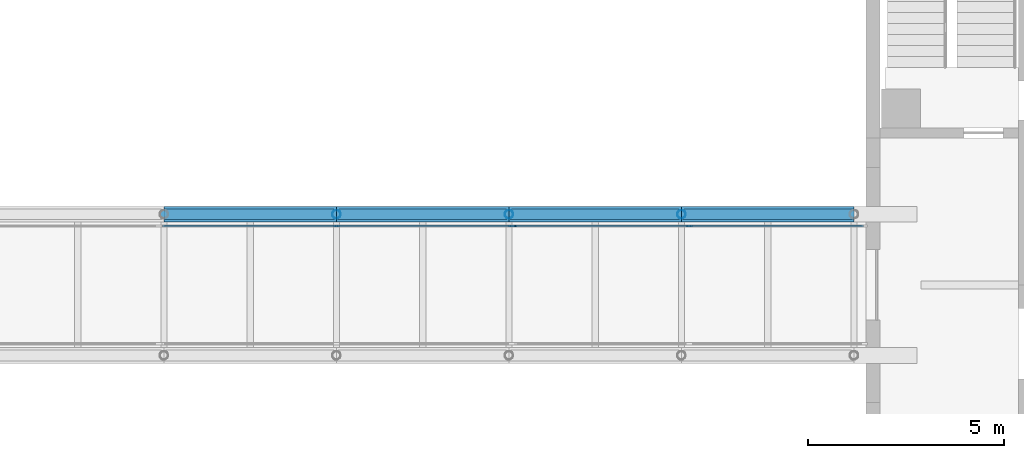
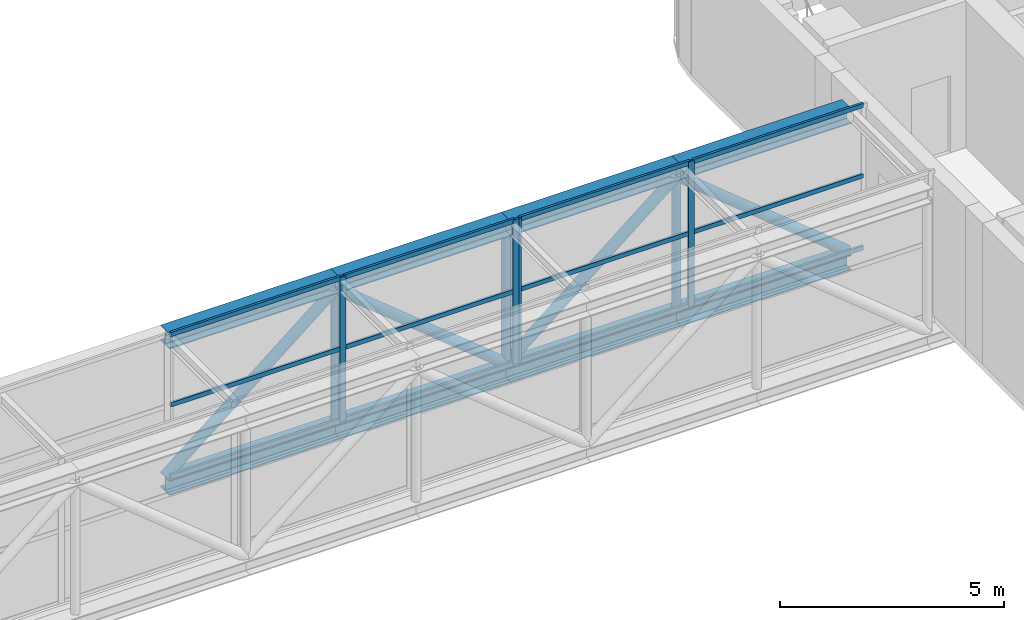
# One storey, part 8 of 24: 31 members, 2 elements without a shape of their own.
"""IFC4 building model written with IfcOpenShell, lengths in metres."""

import ifcopenshell
import ifcopenshell.guid

model = None  # the IFC model being written
_history = None  # IfcOwnerHistory: only IFC2X3 demands one
_inside = {}  # id of a spatial element -> (the spatial element, [elements in it])
_under = {}  # id of a project, library or spatial element -> (it, [spatial elements below it])
_declared = {}  # id of a project -> (the project, [libraries it declares])
_typed = {}  # id of a type object -> (the type object, [elements of that type])
_made_of = {}  # id of a material, layer set ... -> (it, [elements and type objects made of it])


def new_model(schema):
    """Start an empty IFC model of exactly this schema.

    Asked for "IFC4X3", IfcOpenShell would pick the latest addendum, in which some entities
    have other attributes; the version numbers below select the first issue.
    IFC2X3 requires an IfcOwnerHistory on every rooted entity: one is made here for all.
    """
    global model, _history
    if schema == "IFC4X3":
        model = ifcopenshell.file(schema_version=(4, 3, 0, 0))
    else:
        model = ifcopenshell.file(schema=schema)
    _inside.clear()
    _under.clear()
    _declared.clear()
    _typed.clear()
    _made_of.clear()
    _history = None
    if model.schema == "IFC2X3":
        org = make("IfcOrganization", Name="unknown")
        user = make(
            "IfcPersonAndOrganization",
            ThePerson=make("IfcPerson", FamilyName="unknown"),
            TheOrganization=org,
        )
        app = make(
            "IfcApplication",
            ApplicationDeveloper=org,
            Version="unknown",
            ApplicationFullName="unknown",
            ApplicationIdentifier="unknown",
        )
        _history = make(
            "IfcOwnerHistory",
            OwningUser=user,
            OwningApplication=app,
            ChangeAction="ADDED",
            CreationDate=0,
        )
    return model


def make(cls, **values):
    """One entity of the class cls with the attributes given. An attribute that is None is left unset."""
    return model.create_entity(
        cls, **{name: value for name, value in values.items() if value is not None}
    )


def rooted(cls, **values):
    """An entity with a GlobalId (a new one), such as an element, a storey or a relation."""
    return make(cls, GlobalId=ifcopenshell.guid.new(), OwnerHistory=_history, **values)


def si_unit(unit_type, name, prefix=None):
    """IfcSIUnit, for example si_unit("LENGTHUNIT", "METRE", prefix="MILLI")."""
    return make("IfcSIUnit", UnitType=unit_type, Prefix=prefix, Name=name)


def assignment(units):
    """IfcUnitAssignment: the units of a project."""
    return None if units is None else make("IfcUnitAssignment", Units=units)


def point(xyz):
    """IfcCartesianPoint."""
    return None if xyz is None else make("IfcCartesianPoint", Coordinates=xyz)


def direction(xyz):
    """IfcDirection."""
    return None if xyz is None else make("IfcDirection", DirectionRatios=xyz)


def frame(location, z_axis=None, x_axis=None):
    """IfcAxis2Placement3D, a coordinate frame: its origin and axes. An axis left out is left unset."""
    return make(
        "IfcAxis2Placement3D",
        Location=point(location),
        Axis=direction(z_axis),
        RefDirection=direction(x_axis),
    )


def frame_2d(location, x_axis=None):
    """IfcAxis2Placement2D, a coordinate frame in the plane: its origin and x axis."""
    return make(
        "IfcAxis2Placement2D", Location=point(location), RefDirection=direction(x_axis)
    )


def origin():
    """The frame at (0, 0, 0) with its axes left unset."""
    return frame((0.0, 0.0, 0.0))


def origin_2d():
    """The frame at (0, 0) in the plane with its x axis left unset."""
    return frame_2d((0.0, 0.0))


def place(relative_to, where):
    """IfcLocalPlacement: puts the frame where relative to a parent placement (None: the world)."""
    return make(
        "IfcLocalPlacement", PlacementRelTo=relative_to, RelativePlacement=where
    )


def context(
    kind, dimensions, precision=None, world=None, true_north=None, identifier=None
):
    """IfcGeometricRepresentationContext, for example the 3D "Model" context."""
    return make(
        "IfcGeometricRepresentationContext",
        ContextIdentifier=identifier,
        ContextType=kind,
        CoordinateSpaceDimension=dimensions,
        Precision=precision,
        WorldCoordinateSystem=world,
        TrueNorth=true_north,
    )


def subcontext(parent, identifier, kind, view, scale=None):
    """IfcGeometricRepresentationSubContext, for example "Body" below "Model"."""
    return make(
        "IfcGeometricRepresentationSubContext",
        ContextIdentifier=identifier,
        ContextType=kind,
        ParentContext=parent,
        TargetScale=scale,
        TargetView=view,
    )


def project(units=None, contexts=None):
    """IfcProject with its units and contexts."""
    return rooted(
        "IfcProject",
        Name="project",
        RepresentationContexts=contexts,
        UnitsInContext=assignment(units),
    )


def spatial(cls, under=None, at=None, **own):
    """A site, building, storey or space (cls), placed at a placement, below another one or the project."""
    s = rooted(cls, ObjectPlacement=at, **own)
    if under is not None:
        _under.setdefault(under.id(), (under, []))[1].append(s)
    return s


def profile(cls, at=None, kind="AREA", **sizes):
    """A parametric profile (cls). Its sizes go by their IFC names, for example OverallWidth=200.0."""
    return make(cls, ProfileType=kind, Position=at, **sizes)


def rectangle(**sizes):
    """IfcRectangleProfileDef."""
    return profile("IfcRectangleProfileDef", **sizes)


def hollow_circle(**sizes):
    """IfcCircleHollowProfileDef."""
    return profile("IfcCircleHollowProfileDef", **sizes)


def i_section(**sizes):
    """IfcIShapeProfileDef."""
    return profile("IfcIShapeProfileDef", **sizes)


def extrude(swept, where, along, depth):
    """IfcExtrudedAreaSolid: the profile swept, set in the frame where, extruded along a direction by depth."""
    return make(
        "IfcExtrudedAreaSolid",
        SweptArea=swept,
        Position=where,
        ExtrudedDirection=direction(along),
        Depth=depth,
    )


def shape(context_of_items, identifier, shape_type, items):
    """IfcShapeRepresentation: the items that make up one representation, for example the "Body"."""
    return make(
        "IfcShapeRepresentation",
        ContextOfItems=context_of_items,
        RepresentationIdentifier=identifier,
        RepresentationType=shape_type,
        Items=items,
    )


def material(Name=None, Category=None):
    """IfcMaterial."""
    return make("IfcMaterial", Name=Name, Category=Category)


def material_profile(
    of_material, cross_section, Name=None, Category=None, Priority=None
):
    """IfcMaterialProfile: a cross section and its material."""
    return make(
        "IfcMaterialProfile",
        Name=Name,
        Material=of_material,
        Profile=cross_section,
        Priority=Priority,
        Category=Category,
    )


def profile_set(profiles, Name=None, composite=None):
    """IfcMaterialProfileSet."""
    return make(
        "IfcMaterialProfileSet",
        Name=Name,
        MaterialProfiles=profiles,
        CompositeProfile=composite,
    )


def made_of(thing, what):
    """Note that an element or type object is made of a material, layer set ...; save() writes the relation."""
    if what is not None:
        _made_of.setdefault(what.id(), (what, []))[1].append(thing)
    return thing


def type_object(cls, material=None, **own):
    """A type object (cls), such as IfcWallType, which elements share."""
    return made_of(rooted(cls, **own), material)


def element(
    cls,
    number,
    at=None,
    inside=None,
    cuts=None,
    type_object=None,
    material=None,
    context=None,
    identifier="Body",
    shape_type=None,
    held_by="IfcProductDefinitionShape",
    body=None,
    shapes=None,
    **own,
):
    """One element of the class cls, such as IfcWall. Its Tag is "e" and its number.

    at: its placement. inside: the storey or other place that contains it. cuts: it is an
    opening in that element (IfcRelVoidsElement). A single representation is given by context,
    identifier, shape_type and body (its items); several are given by shapes. held_by: the class
    of the entity that holds the representations. save() writes the other relations.
    """
    e = rooted(cls, Tag="e%d" % number, ObjectPlacement=at, **own)
    if body is not None:
        shapes = [shape(context, identifier, shape_type, body)]
    if shapes is not None:
        e.Representation = make(held_by, Representations=shapes)
    if inside is not None:
        _inside.setdefault(inside.id(), (inside, []))[1].append(e)
    if cuts is not None:
        rooted(
            "IfcRelVoidsElement", RelatingBuildingElement=cuts, RelatedOpeningElement=e
        )
    if type_object is not None:
        _typed.setdefault(type_object.id(), (type_object, []))[1].append(e)
    return made_of(e, material)


def aggregate(whole, parts):
    """IfcRelAggregates: a whole, such as a stair, and the parts it consists of."""
    return rooted("IfcRelAggregates", RelatingObject=whole, RelatedObjects=parts)


def save(model, path):
    """Write the relations noted so far, then the file.

    IfcRelAggregates (storeys below a building ...), IfcRelContainedInSpatialStructure (elements
    in a storey), IfcRelDefinesByType, IfcRelAssociatesMaterial and IfcRelDeclares: one each for
    every whole, place, type object, material and project.
    """
    for whole, parts in _under.values():
        aggregate(whole, parts)
    for where, things in _inside.values():
        rooted(
            "IfcRelContainedInSpatialStructure",
            RelatedElements=things,
            RelatingStructure=where,
        )
    for kind, things in _typed.values():
        rooted("IfcRelDefinesByType", RelatedObjects=things, RelatingType=kind)
    for what, things in _made_of.values():
        rooted("IfcRelAssociatesMaterial", RelatedObjects=things, RelatingMaterial=what)
    for by, libraries in _declared.values():
        rooted("IfcRelDeclares", RelatingContext=by, RelatedDefinitions=libraries)
    model.write(path)


model = new_model("IFC4")

# Units and contexts
model_context = context("Model", 3, precision=1e-05, world=origin(), true_north=direction((0.0, 1.0)))
body_context = subcontext(model_context, "Body", "Model", "MODEL_VIEW")
ifc_project = project(units=[si_unit("LENGTHUNIT", "METRE"), si_unit("AREAUNIT", "SQUARE_METRE"), si_unit("VOLUMEUNIT", "CUBIC_METRE"), si_unit("PLANEANGLEUNIT", "RADIAN"), si_unit("MASSUNIT", "GRAM", prefix="KILO")], contexts=[model_context])

# Site, building, storey
site_placement = place(None, origin())
site = spatial("IfcSite", under=ifc_project, at=site_placement, CompositionType="ELEMENT")
building_placement = place(site_placement, origin())
building = spatial("IfcBuilding", under=site, at=building_placement, Name="Cinnabar Reach Civic Tower", CompositionType="ELEMENT")
storey_placement = place(building_placement, frame((0.0, 0.0, 71.0)))
storey = spatial("IfcBuildingStorey", under=building, at=storey_placement, Name="L16", CompositionType="ELEMENT", Elevation=71.0)

# Curtain wall, members
ifc_material_1 = material(Name="Aluminium and insulated spandrel panels", Category="aluminium")
curtain_wall_type = type_object("IfcCurtainWallType", Name="Bridge 1 enclosure curtain wall", PredefinedType="NOTDEFINED", material=ifc_material_1)
curtain_wall_1_placement = place(storey_placement, origin())
curtain_wall_1 = element("IfcCurtainWall", 1, at=curtain_wall_1_placement, inside=storey, type_object=curtain_wall_type, Name="Bridge 1 enclosure 5", PredefinedType="NOTDEFINED")
ifc_material_2 = material(Name="Aluminium", Category="aluminium")
ifc_material_profile_1 = material_profile(ifc_material_2, rectangle(XDim=0.06, YDim=0.16, at=origin_2d()), Name="Bridge 1 enclosure mullion")
ifc_profile_set_1 = profile_set([ifc_material_profile_1], Name="Aluminium")
member_type_1 = type_object("IfcMemberType", Name="Bridge 1 enclosure mullion", PredefinedType="MULLION", material=ifc_profile_set_1)
member_1_placement = place(storey_placement, frame((-13.5, 33.0, 0.0), z_axis=(0.0, 0.0, 1.0), x_axis=(0.0, 1.0, 0.0)))
member_1 = element("IfcMember", 2, at=member_1_placement, type_object=member_type_1, Name="CW-BR1-5 mullion 2", PredefinedType="MULLION", context=body_context, shape_type="SweptSolid", body=[
    extrude(rectangle(XDim=0.06, YDim=0.16, at=origin_2d()), origin(), (0.0, 0.0, 1.0), 3.95),
])
member_2_placement = place(storey_placement, frame((-9.03, 33.0, 0.0), z_axis=(0.0, 0.0, 1.0), x_axis=(0.0, 1.0, 0.0)))
member_2 = element("IfcMember", 3, at=member_2_placement, type_object=member_type_1, Name="CW-BR1-5 mullion 3", PredefinedType="MULLION", context=body_context, shape_type="SweptSolid", body=[
    extrude(rectangle(XDim=0.06, YDim=0.16, at=origin_2d()), origin(), (0.0, 0.0, 1.0), 3.95),
])

curtain_wall_2_placement = place(storey_placement, origin())
curtain_wall_2 = element("IfcCurtainWall", 4, at=curtain_wall_2_placement, inside=storey, type_object=curtain_wall_type, Name="Bridge 1 enclosure 6", PredefinedType="NOTDEFINED")
member_3_placement = place(storey_placement, frame((-8.97, 33.0, 0.0), z_axis=(0.0, 0.0, 1.0), x_axis=(0.0, 1.0, 0.0)))
member_3 = element("IfcMember", 5, at=member_3_placement, type_object=member_type_1, Name="CW-BR1-6 mullion 1", PredefinedType="MULLION", context=body_context, shape_type="SweptSolid", body=[
    extrude(rectangle(XDim=0.06, YDim=0.16, at=origin_2d()), origin(), (0.0, 0.0, 1.0), 3.95),
])
member_4_placement = place(storey_placement, frame((-4.5, 33.0, 0.0), z_axis=(0.0, 0.0, 1.0), x_axis=(0.0, 1.0, 0.0)))
member_4 = element("IfcMember", 6, at=member_4_placement, type_object=member_type_1, Name="CW-BR1-6 mullion 2", PredefinedType="MULLION", context=body_context, shape_type="SweptSolid", body=[
    extrude(rectangle(XDim=0.06, YDim=0.16, at=origin_2d()), origin(), (0.0, 0.0, 1.0), 3.95),
])

# Member
ifc_material_profile_2 = material_profile(ifc_material_2, rectangle(XDim=0.06, YDim=0.12, at=origin_2d()), Name="Bridge 1 enclosure transom")
ifc_profile_set_2 = profile_set([ifc_material_profile_2], Name="Aluminium")
member_type_2 = type_object("IfcMemberType", Name="Bridge 1 enclosure transom", PredefinedType="USERDEFINED", material=ifc_profile_set_2)
member_5_placement = place(storey_placement, frame((-17.94, 33.0, 0.03), z_axis=(1.0, 0.0, 0.0), x_axis=(0.0, 1.0, 0.0)))
member_5 = element("IfcMember", 7, at=member_5_placement, type_object=member_type_2, Name="CW-BR1-5 transom 1.1", ObjectType="TRANSOM", PredefinedType="USERDEFINED", context=body_context, shape_type="SweptSolid", body=[
    extrude(rectangle(XDim=0.06, YDim=0.12, at=origin_2d()), origin(), (0.0, 0.0, 1.0), 4.41),
])

member_6_placement = place(storey_placement, frame((-17.94, 33.0, 2.0), z_axis=(1.0, 0.0, 0.0), x_axis=(0.0, 1.0, 0.0)))
member_6 = element("IfcMember", 8, at=member_6_placement, type_object=member_type_2, Name="CW-BR1-5 transom 1.2", ObjectType="TRANSOM", PredefinedType="USERDEFINED", context=body_context, shape_type="SweptSolid", body=[
    extrude(rectangle(XDim=0.06, YDim=0.12, at=origin_2d()), origin(), (0.0, 0.0, 1.0), 4.41),
])

member_7_placement = place(storey_placement, frame((-17.94, 33.0, 3.92), z_axis=(1.0, 0.0, 0.0), x_axis=(0.0, 1.0, 0.0)))
member_7 = element("IfcMember", 9, at=member_7_placement, type_object=member_type_2, Name="CW-BR1-5 transom 1.3", ObjectType="TRANSOM", PredefinedType="USERDEFINED", context=body_context, shape_type="SweptSolid", body=[
    extrude(rectangle(XDim=0.06, YDim=0.12, at=origin_2d()), origin(), (0.0, 0.0, 1.0), 4.41),
])

member_8_placement = place(storey_placement, frame((-13.47, 33.0, 0.03), z_axis=(1.0, 0.0, 0.0), x_axis=(0.0, 1.0, 0.0)))
member_8 = element("IfcMember", 10, at=member_8_placement, type_object=member_type_2, Name="CW-BR1-5 transom 2.1", ObjectType="TRANSOM", PredefinedType="USERDEFINED", context=body_context, shape_type="SweptSolid", body=[
    extrude(rectangle(XDim=0.06, YDim=0.12, at=origin_2d()), origin(), (0.0, 0.0, 1.0), 4.41),
])

member_9_placement = place(storey_placement, frame((-13.47, 33.0, 2.0), z_axis=(1.0, 0.0, 0.0), x_axis=(0.0, 1.0, 0.0)))
member_9 = element("IfcMember", 11, at=member_9_placement, type_object=member_type_2, Name="CW-BR1-5 transom 2.2", ObjectType="TRANSOM", PredefinedType="USERDEFINED", context=body_context, shape_type="SweptSolid", body=[
    extrude(rectangle(XDim=0.06, YDim=0.12, at=origin_2d()), origin(), (0.0, 0.0, 1.0), 4.41),
])

member_10_placement = place(storey_placement, frame((-13.47, 33.0, 3.92), z_axis=(1.0, 0.0, 0.0), x_axis=(0.0, 1.0, 0.0)))
member_10 = element("IfcMember", 12, at=member_10_placement, type_object=member_type_2, Name="CW-BR1-5 transom 2.3", ObjectType="TRANSOM", PredefinedType="USERDEFINED", context=body_context, shape_type="SweptSolid", body=[
    extrude(rectangle(XDim=0.06, YDim=0.12, at=origin_2d()), origin(), (0.0, 0.0, 1.0), 4.41),
])

aggregate(curtain_wall_1, [member_1, member_2, member_5, member_6, member_7, member_8, member_9, member_10])

member_11_placement = place(storey_placement, frame((-8.94, 33.0, 0.03), z_axis=(1.0, 0.0, 0.0), x_axis=(0.0, 1.0, 0.0)))
member_11 = element("IfcMember", 13, at=member_11_placement, type_object=member_type_2, Name="CW-BR1-6 transom 1.1", ObjectType="TRANSOM", PredefinedType="USERDEFINED", context=body_context, shape_type="SweptSolid", body=[
    extrude(rectangle(XDim=0.06, YDim=0.12, at=origin_2d()), origin(), (0.0, 0.0, 1.0), 4.41),
])

member_12_placement = place(storey_placement, frame((-8.94, 33.0, 2.0), z_axis=(1.0, 0.0, 0.0), x_axis=(0.0, 1.0, 0.0)))
member_12 = element("IfcMember", 14, at=member_12_placement, type_object=member_type_2, Name="CW-BR1-6 transom 1.2", ObjectType="TRANSOM", PredefinedType="USERDEFINED", context=body_context, shape_type="SweptSolid", body=[
    extrude(rectangle(XDim=0.06, YDim=0.12, at=origin_2d()), origin(), (0.0, 0.0, 1.0), 4.41),
])

member_13_placement = place(storey_placement, frame((-8.94, 33.0, 3.92), z_axis=(1.0, 0.0, 0.0), x_axis=(0.0, 1.0, 0.0)))
member_13 = element("IfcMember", 15, at=member_13_placement, type_object=member_type_2, Name="CW-BR1-6 transom 1.3", ObjectType="TRANSOM", PredefinedType="USERDEFINED", context=body_context, shape_type="SweptSolid", body=[
    extrude(rectangle(XDim=0.06, YDim=0.12, at=origin_2d()), origin(), (0.0, 0.0, 1.0), 4.41),
])

member_14_placement = place(storey_placement, frame((-4.47, 33.0, 0.03), z_axis=(1.0, 0.0, 0.0), x_axis=(0.0, 1.0, 0.0)))
member_14 = element("IfcMember", 16, at=member_14_placement, type_object=member_type_2, Name="CW-BR1-6 transom 2.1", ObjectType="TRANSOM", PredefinedType="USERDEFINED", context=body_context, shape_type="SweptSolid", body=[
    extrude(rectangle(XDim=0.06, YDim=0.12, at=origin_2d()), origin(), (0.0, 0.0, 1.0), 4.41),
])

member_15_placement = place(storey_placement, frame((-4.47, 33.0, 2.0), z_axis=(1.0, 0.0, 0.0), x_axis=(0.0, 1.0, 0.0)))
member_15 = element("IfcMember", 17, at=member_15_placement, type_object=member_type_2, Name="CW-BR1-6 transom 2.2", ObjectType="TRANSOM", PredefinedType="USERDEFINED", context=body_context, shape_type="SweptSolid", body=[
    extrude(rectangle(XDim=0.06, YDim=0.12, at=origin_2d()), origin(), (0.0, 0.0, 1.0), 4.41),
])

member_16_placement = place(storey_placement, frame((-4.47, 33.0, 3.92), z_axis=(1.0, 0.0, 0.0), x_axis=(0.0, 1.0, 0.0)))
member_16 = element("IfcMember", 18, at=member_16_placement, type_object=member_type_2, Name="CW-BR1-6 transom 2.3", ObjectType="TRANSOM", PredefinedType="USERDEFINED", context=body_context, shape_type="SweptSolid", body=[
    extrude(rectangle(XDim=0.06, YDim=0.12, at=origin_2d()), origin(), (0.0, 0.0, 1.0), 4.41),
])

aggregate(curtain_wall_2, [member_3, member_4, member_11, member_12, member_13, member_14, member_15, member_16])

# Members
ifc_material_3 = material(Name="Steel Q355B", Category="steel")
ifc_material_profile_3 = material_profile(ifc_material_3, hollow_circle(Radius=0.1095, WallThickness=0.008, at=origin_2d()), Name="CHS219x8")
ifc_profile_set_3 = profile_set([ifc_material_profile_3], Name="Steel Q355B")
member_type_3 = type_object("IfcMemberType", Name="CHS219x8 bridge post", PredefinedType="POST", material=ifc_profile_set_3)
for number, where, z_axis, x_axis, name in (
    (19, (-13.5, 33.3, -0.15), (0.0, 0.0, 1.0), (1.0, 0.0, 0.0), "BR1 truss post"),
    (20, (-9.1, 33.3, -0.15), (0.0, 0.0, 1.0), (1.0, 0.0, 0.0), "BR1 truss post"),
    (21, (-4.7, 33.3, -0.15), (0.0, 0.0, 1.0), (1.0, 0.0, 0.0), "BR1 truss post"),
):
    element("IfcMember", number, at=place(storey_placement, frame(where, z_axis=z_axis, x_axis=x_axis)), inside=storey, type_object=member_type_3, Name=name, PredefinedType="POST", context=body_context, shape_type="SweptSolid", body=[
        extrude(hollow_circle(Radius=0.1095, WallThickness=0.008, at=origin_2d()), origin(), (0.0, 0.0, 1.0), 3.586),
    ])
ifc_material_profile_4 = material_profile(ifc_material_3, hollow_circle(Radius=0.1365, WallThickness=0.01, at=origin_2d()), Name="CHS273x10")
ifc_profile_set_4 = profile_set([ifc_material_profile_4], Name="Steel Q355B")
member_type_4 = type_object("IfcMemberType", Name="CHS273x10 bridge brace", PredefinedType="BRACE", material=ifc_profile_set_4)
for number, where, z_axis, x_axis, name in (
    (22, (-17.9, 33.3, -0.15), (0.775164685486, 0.0, 0.631759218671), (0.0, 1.0, 0.0), "BR1 truss diagonal"),
    (23, (-13.5, 33.3, 3.436), (0.775164685486, 0.0, -0.631759218671), (0.0, 1.0, 0.0), "BR1 truss diagonal"),
    (24, (-9.1, 33.3, -0.15), (0.775164685486, 0.0, 0.631759218671), (0.0, 1.0, 0.0), "BR1 truss diagonal"),
    (25, (-4.7, 33.3, 3.436), (0.775164685486, 0.0, -0.631759218671), (0.0, 1.0, 0.0), "BR1 truss diagonal"),
):
    element("IfcMember", number, at=place(storey_placement, frame(where, z_axis=z_axis, x_axis=x_axis)), inside=storey, type_object=member_type_4, Name=name, PredefinedType="BRACE", context=body_context, shape_type="SweptSolid", body=[
        extrude(hollow_circle(Radius=0.1365, WallThickness=0.01, at=origin_2d()), origin(), (0.0, 0.0, 1.0), 5.6762),
    ])
ifc_material_profile_5 = material_profile(ifc_material_3, i_section(OverallWidth=0.405, OverallDepth=0.414, WebThickness=0.018, FlangeThickness=0.028, FilletRadius=0.016, at=origin_2d()), Name="HW414x405x18x28")
ifc_profile_set_5 = profile_set([ifc_material_profile_5], Name="Steel Q355B")
member_type_5 = type_object("IfcMemberType", Name="HW414x405x18x28 bridge chord", PredefinedType="CHORD", material=ifc_profile_set_5)
for number, where, z_axis, x_axis, name in (
    (26, (-17.9, 33.3, -0.357), (1.0, 0.0, 0.0), (0.0, 1.0, 0.0), "BR1 truss bottom chord"),
    (27, (-13.5, 33.3, -0.357), (1.0, 0.0, 0.0), (0.0, 1.0, 0.0), "BR1 truss bottom chord"),
    (28, (-9.1, 33.3, -0.357), (1.0, 0.0, 0.0), (0.0, 1.0, 0.0), "BR1 truss bottom chord"),
    (29, (-4.7, 33.3, -0.357), (1.0, 0.0, 0.0), (0.0, 1.0, 0.0), "BR1 truss bottom chord"),
    (30, (-17.9, 33.3, 3.643), (1.0, 0.0, 0.0), (0.0, 1.0, 0.0), "BR1 truss top chord"),
    (31, (-13.5, 33.3, 3.643), (1.0, 0.0, 0.0), (0.0, 1.0, 0.0), "BR1 truss top chord"),
    (32, (-9.1, 33.3, 3.643), (1.0, 0.0, 0.0), (0.0, 1.0, 0.0), "BR1 truss top chord"),
    (33, (-4.7, 33.3, 3.643), (1.0, 0.0, 0.0), (0.0, 1.0, 0.0), "BR1 truss top chord"),
):
    element("IfcMember", number, at=place(storey_placement, frame(where, z_axis=z_axis, x_axis=x_axis)), inside=storey, type_object=member_type_5, Name=name, PredefinedType="CHORD", context=body_context, shape_type="SweptSolid", body=[
        extrude(i_section(OverallWidth=0.405, OverallDepth=0.414, WebThickness=0.018, FlangeThickness=0.028, FilletRadius=0.016, at=origin_2d()), origin(), (0.0, 0.0, 1.0), 4.4),
    ])

save(model, "model.ifc")
